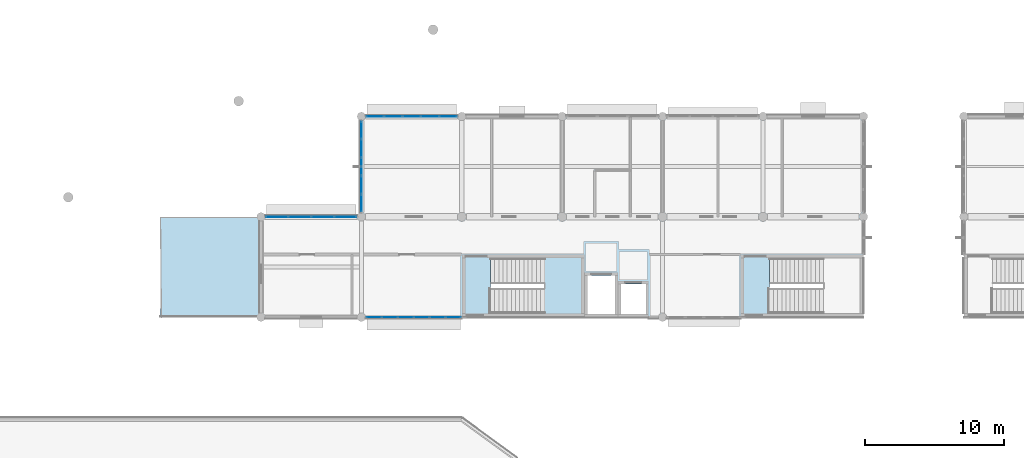
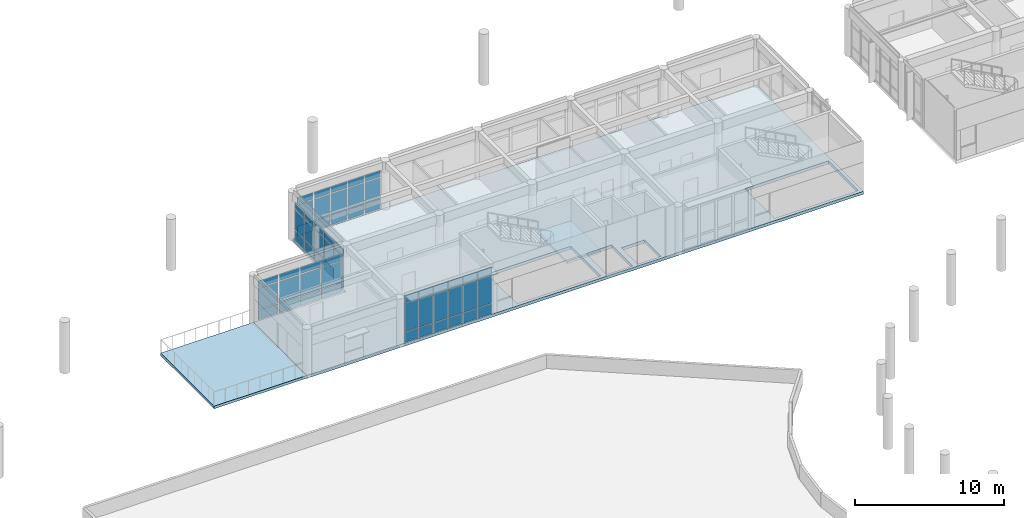
# One storey, part 18 of 55: 60 plates, 3 slabs, 5 elements without a shape of their own.
"""IFC4 building model written with IfcOpenShell, lengths in metres."""

import ifcopenshell
import ifcopenshell.guid

model = None  # the IFC model being written
_history = None  # IfcOwnerHistory: only IFC2X3 demands one
_inside = {}  # id of a spatial element -> (the spatial element, [elements in it])
_under = {}  # id of a project, library or spatial element -> (it, [spatial elements below it])
_declared = {}  # id of a project -> (the project, [libraries it declares])
_typed = {}  # id of a type object -> (the type object, [elements of that type])
_made_of = {}  # id of a material, layer set ... -> (it, [elements and type objects made of it])


def new_model(schema):
    """Start an empty IFC model of exactly this schema.

    Asked for "IFC4X3", IfcOpenShell would pick the latest addendum, in which some entities
    have other attributes; the version numbers below select the first issue.
    IFC2X3 requires an IfcOwnerHistory on every rooted entity: one is made here for all.
    """
    global model, _history
    if schema == "IFC4X3":
        model = ifcopenshell.file(schema_version=(4, 3, 0, 0))
    else:
        model = ifcopenshell.file(schema=schema)
    _inside.clear()
    _under.clear()
    _declared.clear()
    _typed.clear()
    _made_of.clear()
    _history = None
    if model.schema == "IFC2X3":
        org = make("IfcOrganization", Name="unknown")
        user = make(
            "IfcPersonAndOrganization",
            ThePerson=make("IfcPerson", FamilyName="unknown"),
            TheOrganization=org,
        )
        app = make(
            "IfcApplication",
            ApplicationDeveloper=org,
            Version="unknown",
            ApplicationFullName="unknown",
            ApplicationIdentifier="unknown",
        )
        _history = make(
            "IfcOwnerHistory",
            OwningUser=user,
            OwningApplication=app,
            ChangeAction="ADDED",
            CreationDate=0,
        )
    return model


def make(cls, **values):
    """One entity of the class cls with the attributes given. An attribute that is None is left unset."""
    return model.create_entity(
        cls, **{name: value for name, value in values.items() if value is not None}
    )


def rooted(cls, **values):
    """An entity with a GlobalId (a new one), such as an element, a storey or a relation."""
    return make(cls, GlobalId=ifcopenshell.guid.new(), OwnerHistory=_history, **values)


def si_unit(unit_type, name, prefix=None):
    """IfcSIUnit, for example si_unit("LENGTHUNIT", "METRE", prefix="MILLI")."""
    return make("IfcSIUnit", UnitType=unit_type, Prefix=prefix, Name=name)


def assignment(units):
    """IfcUnitAssignment: the units of a project."""
    return None if units is None else make("IfcUnitAssignment", Units=units)


def point(xyz):
    """IfcCartesianPoint."""
    return None if xyz is None else make("IfcCartesianPoint", Coordinates=xyz)


def direction(xyz):
    """IfcDirection."""
    return None if xyz is None else make("IfcDirection", DirectionRatios=xyz)


def frame(location, z_axis=None, x_axis=None):
    """IfcAxis2Placement3D, a coordinate frame: its origin and axes. An axis left out is left unset."""
    return make(
        "IfcAxis2Placement3D",
        Location=point(location),
        Axis=direction(z_axis),
        RefDirection=direction(x_axis),
    )


def frame_2d(location, x_axis=None):
    """IfcAxis2Placement2D, a coordinate frame in the plane: its origin and x axis."""
    return make(
        "IfcAxis2Placement2D", Location=point(location), RefDirection=direction(x_axis)
    )


def origin():
    """The frame at (0, 0, 0) with its axes left unset."""
    return frame((0.0, 0.0, 0.0))


def origin_2d():
    """The frame at (0, 0) in the plane with its x axis left unset."""
    return frame_2d((0.0, 0.0))


def place(relative_to, where):
    """IfcLocalPlacement: puts the frame where relative to a parent placement (None: the world)."""
    return make(
        "IfcLocalPlacement", PlacementRelTo=relative_to, RelativePlacement=where
    )


def context(
    kind, dimensions, precision=None, world=None, true_north=None, identifier=None
):
    """IfcGeometricRepresentationContext, for example the 3D "Model" context."""
    return make(
        "IfcGeometricRepresentationContext",
        ContextIdentifier=identifier,
        ContextType=kind,
        CoordinateSpaceDimension=dimensions,
        Precision=precision,
        WorldCoordinateSystem=world,
        TrueNorth=true_north,
    )


def subcontext(parent, identifier, kind, view, scale=None):
    """IfcGeometricRepresentationSubContext, for example "Body" below "Model"."""
    return make(
        "IfcGeometricRepresentationSubContext",
        ContextIdentifier=identifier,
        ContextType=kind,
        ParentContext=parent,
        TargetScale=scale,
        TargetView=view,
    )


def project(units=None, contexts=None):
    """IfcProject with its units and contexts."""
    return rooted(
        "IfcProject",
        Name="project",
        RepresentationContexts=contexts,
        UnitsInContext=assignment(units),
    )


def spatial(cls, under=None, at=None, **own):
    """A site, building, storey or space (cls), placed at a placement, below another one or the project."""
    s = rooted(cls, ObjectPlacement=at, **own)
    if under is not None:
        _under.setdefault(under.id(), (under, []))[1].append(s)
    return s


def polyline(points):
    """IfcPolyline through the points."""
    return make("IfcPolyline", Points=[point(p) for p in points])


def profile(cls, at=None, kind="AREA", **sizes):
    """A parametric profile (cls). Its sizes go by their IFC names, for example OverallWidth=200.0."""
    return make(cls, ProfileType=kind, Position=at, **sizes)


def rectangle(**sizes):
    """IfcRectangleProfileDef."""
    return profile("IfcRectangleProfileDef", **sizes)


def outline(outer, holes=None, kind="AREA"):
    """IfcArbitraryClosedProfileDef: a profile drawn as a closed curve; with holes, ...WithVoids."""
    if holes is None:
        return make("IfcArbitraryClosedProfileDef", ProfileType=kind, OuterCurve=outer)
    return make(
        "IfcArbitraryProfileDefWithVoids",
        ProfileType=kind,
        OuterCurve=outer,
        InnerCurves=holes,
    )


def extrude(swept, where, along, depth):
    """IfcExtrudedAreaSolid: the profile swept, set in the frame where, extruded along a direction by depth."""
    return make(
        "IfcExtrudedAreaSolid",
        SweptArea=swept,
        Position=where,
        ExtrudedDirection=direction(along),
        Depth=depth,
    )


def shape(context_of_items, identifier, shape_type, items):
    """IfcShapeRepresentation: the items that make up one representation, for example the "Body"."""
    return make(
        "IfcShapeRepresentation",
        ContextOfItems=context_of_items,
        RepresentationIdentifier=identifier,
        RepresentationType=shape_type,
        Items=items,
    )


def material(Name=None, Category=None):
    """IfcMaterial."""
    return make("IfcMaterial", Name=Name, Category=Category)


def layer(
    of_material, thickness, ventilated=None, Name=None, Category=None, Priority=None
):
    """IfcMaterialLayer: one layer of a wall or slab, of a material (None: an air gap)."""
    return make(
        "IfcMaterialLayer",
        Material=of_material,
        LayerThickness=thickness,
        IsVentilated=ventilated,
        Name=Name,
        Category=Category,
        Priority=Priority,
    )


def layer_set(layers, Name=None):
    """IfcMaterialLayerSet."""
    return make("IfcMaterialLayerSet", MaterialLayers=layers, LayerSetName=Name)


def made_of(thing, what):
    """Note that an element or type object is made of a material, layer set ...; save() writes the relation."""
    if what is not None:
        _made_of.setdefault(what.id(), (what, []))[1].append(thing)
    return thing


def type_object(cls, material=None, **own):
    """A type object (cls), such as IfcWallType, which elements share."""
    return made_of(rooted(cls, **own), material)


def element(
    cls,
    number,
    at=None,
    inside=None,
    cuts=None,
    type_object=None,
    material=None,
    context=None,
    identifier="Body",
    shape_type=None,
    held_by="IfcProductDefinitionShape",
    body=None,
    shapes=None,
    **own,
):
    """One element of the class cls, such as IfcWall. Its Tag is "e" and its number.

    at: its placement. inside: the storey or other place that contains it. cuts: it is an
    opening in that element (IfcRelVoidsElement). A single representation is given by context,
    identifier, shape_type and body (its items); several are given by shapes. held_by: the class
    of the entity that holds the representations. save() writes the other relations.
    """
    e = rooted(cls, Tag="e%d" % number, ObjectPlacement=at, **own)
    if body is not None:
        shapes = [shape(context, identifier, shape_type, body)]
    if shapes is not None:
        e.Representation = make(held_by, Representations=shapes)
    if inside is not None:
        _inside.setdefault(inside.id(), (inside, []))[1].append(e)
    if cuts is not None:
        rooted(
            "IfcRelVoidsElement", RelatingBuildingElement=cuts, RelatedOpeningElement=e
        )
    if type_object is not None:
        _typed.setdefault(type_object.id(), (type_object, []))[1].append(e)
    return made_of(e, material)


def aggregate(whole, parts):
    """IfcRelAggregates: a whole, such as a stair, and the parts it consists of."""
    return rooted("IfcRelAggregates", RelatingObject=whole, RelatedObjects=parts)


def save(model, path):
    """Write the relations noted so far, then the file.

    IfcRelAggregates (storeys below a building ...), IfcRelContainedInSpatialStructure (elements
    in a storey), IfcRelDefinesByType, IfcRelAssociatesMaterial and IfcRelDeclares: one each for
    every whole, place, type object, material and project.
    """
    for whole, parts in _under.values():
        aggregate(whole, parts)
    for where, things in _inside.values():
        rooted(
            "IfcRelContainedInSpatialStructure",
            RelatedElements=things,
            RelatingStructure=where,
        )
    for kind, things in _typed.values():
        rooted("IfcRelDefinesByType", RelatedObjects=things, RelatingType=kind)
    for what, things in _made_of.values():
        rooted("IfcRelAssociatesMaterial", RelatedObjects=things, RelatingMaterial=what)
    for by, libraries in _declared.values():
        rooted("IfcRelDeclares", RelatingContext=by, RelatedDefinitions=libraries)
    model.write(path)


model = new_model("IFC4")

# Units and contexts
model_context = context("Model", 3, precision=1e-05, world=origin(), true_north=direction((0.0, 1.0)))
body_context = subcontext(model_context, "Body", "Model", "MODEL_VIEW")
ifc_project = project(units=[si_unit("LENGTHUNIT", "METRE"), si_unit("AREAUNIT", "SQUARE_METRE"), si_unit("VOLUMEUNIT", "CUBIC_METRE"), si_unit("PLANEANGLEUNIT", "RADIAN"), si_unit("MASSUNIT", "GRAM", prefix="KILO")], contexts=[model_context])

# Site, building, storey
site_placement = place(None, origin())
site = spatial("IfcSite", under=ifc_project, at=site_placement, CompositionType="ELEMENT")
building_placement = place(site_placement, origin())
building = spatial("IfcBuilding", under=site, at=building_placement, Name="Namkhue Oval Health Centre", CompositionType="ELEMENT")
storey_placement = place(building_placement, frame((0.0, 0.0, 9.60009765625)))
storey = spatial("IfcBuildingStorey", under=building, at=storey_placement, Name="L02", CompositionType="ELEMENT", Elevation=9.60009765625)

# Curtain wall, plates
ifc_material_1 = material(Name="Anodised aluminium EN AW-6063 T6", Category="aluminium")
ifc_layer_1 = layer(ifc_material_1, 0.159912109375)
ifc_layer_set_1 = layer_set([ifc_layer_1], Name="Anodised aluminium EN AW-6063 T6")
curtain_wall_type_1 = type_object("IfcCurtainWallType", Name="UNITISED CURTAIN WALL M1200", PredefinedType="NOTDEFINED", material=ifc_layer_set_1)
curtain_wall_1_placement = place(storey_placement, origin())
curtain_wall_1 = element("IfcCurtainWall", 1, at=curtain_wall_1_placement, inside=storey, type_object=curtain_wall_type_1, Name="Volume V2 L02 Unitised Curtain Wall 61", PredefinedType="NOTDEFINED")
ifc_material_2 = material(Name="Thermally broken low-E laminated double glazing", Category="glass")
ifc_layer_2 = layer(ifc_material_2, 0.02587890625)
ifc_layer_set_2 = layer_set([ifc_layer_2], Name="Thermally broken low-E laminated double glazing")
plate_type_1 = type_object("IfcPlateType", Name="CURTAIN WALL GLAZED PANEL 26", PredefinedType="CURTAIN_PANEL", material=ifc_layer_set_2)
plate_1_placement = place(storey_placement, frame((51.299072265625, 90.0, 0.06494140625), z_axis=(0.0, 0.0, 1.0), x_axis=(1.0, 0.0, 0.0)))
plate_1 = element("IfcPlate", 2, at=plate_1_placement, type_object=plate_type_1, Name="CW-01 panel 1.1", PredefinedType="CURTAIN_PANEL", context=body_context, shape_type="SweptSolid", body=[
    extrude(rectangle(XDim=1.048095703125, YDim=0.02587890625, at=origin_2d()), origin(), (0.0, 0.0, 1.0), 0.802490234375),
])
plate_2_placement = place(storey_placement, frame((51.299072265625, 90.0, 0.932373046875), z_axis=(0.0, 0.0, 1.0), x_axis=(1.0, 0.0, 0.0)))
plate_2 = element("IfcPlate", 3, at=plate_2_placement, type_object=plate_type_1, Name="CW-01 panel 1.2", PredefinedType="CURTAIN_PANEL", context=body_context, shape_type="SweptSolid", body=[
    extrude(rectangle(XDim=1.048095703125, YDim=0.02587890625, at=origin_2d()), origin(), (0.0, 0.0, 1.0), 2.3349609375),
])
plate_3_placement = place(storey_placement, frame((51.299072265625, 90.0, 3.33251953125), z_axis=(0.0, 0.0, 1.0), x_axis=(1.0, 0.0, 0.0)))
plate_3 = element("IfcPlate", 4, at=plate_3_placement, type_object=plate_type_1, Name="CW-01 panel 1.3", PredefinedType="CURTAIN_PANEL", context=body_context, shape_type="SweptSolid", body=[
    extrude(rectangle(XDim=1.048095703125, YDim=0.02587890625, at=origin_2d()), origin(), (0.0, 0.0, 1.0), 0.552490234375),
])
plate_4_placement = place(storey_placement, frame((52.42822265625, 90.0, 0.06494140625), z_axis=(0.0, 0.0, 1.0), x_axis=(1.0, 0.0, 0.0)))
plate_4 = element("IfcPlate", 5, at=plate_4_placement, type_object=plate_type_1, Name="CW-01 panel 2.1", PredefinedType="CURTAIN_PANEL", context=body_context, shape_type="SweptSolid", body=[
    extrude(rectangle(XDim=1.08056640625, YDim=0.02587890625, at=origin_2d()), origin(), (0.0, 0.0, 1.0), 0.802490234375),
])
plate_5_placement = place(storey_placement, frame((52.42822265625, 90.0, 0.932373046875), z_axis=(0.0, 0.0, 1.0), x_axis=(1.0, 0.0, 0.0)))
plate_5 = element("IfcPlate", 6, at=plate_5_placement, type_object=plate_type_1, Name="CW-01 panel 2.2", PredefinedType="CURTAIN_PANEL", context=body_context, shape_type="SweptSolid", body=[
    extrude(rectangle(XDim=1.08056640625, YDim=0.02587890625, at=origin_2d()), origin(), (0.0, 0.0, 1.0), 2.3349609375),
])
plate_6_placement = place(storey_placement, frame((52.42822265625, 90.0, 3.33251953125), z_axis=(0.0, 0.0, 1.0), x_axis=(1.0, 0.0, 0.0)))
plate_6 = element("IfcPlate", 7, at=plate_6_placement, type_object=plate_type_1, Name="CW-01 panel 2.3", PredefinedType="CURTAIN_PANEL", context=body_context, shape_type="SweptSolid", body=[
    extrude(rectangle(XDim=1.08056640625, YDim=0.02587890625, at=origin_2d()), origin(), (0.0, 0.0, 1.0), 0.552490234375),
])
plate_7_placement = place(storey_placement, frame((53.57373046875, 90.0, 0.06494140625), z_axis=(0.0, 0.0, 1.0), x_axis=(1.0, 0.0, 0.0)))
plate_7 = element("IfcPlate", 8, at=plate_7_placement, type_object=plate_type_1, Name="CW-01 panel 3.1", PredefinedType="CURTAIN_PANEL", context=body_context, shape_type="SweptSolid", body=[
    extrude(rectangle(XDim=1.08056640625, YDim=0.02587890625, at=origin_2d()), origin(), (0.0, 0.0, 1.0), 0.802490234375),
])
plate_8_placement = place(storey_placement, frame((53.57373046875, 90.0, 0.932373046875), z_axis=(0.0, 0.0, 1.0), x_axis=(1.0, 0.0, 0.0)))
plate_8 = element("IfcPlate", 9, at=plate_8_placement, type_object=plate_type_1, Name="CW-01 panel 3.2", PredefinedType="CURTAIN_PANEL", context=body_context, shape_type="SweptSolid", body=[
    extrude(rectangle(XDim=1.08056640625, YDim=0.02587890625, at=origin_2d()), origin(), (0.0, 0.0, 1.0), 2.3349609375),
])
plate_9_placement = place(storey_placement, frame((53.57373046875, 90.0, 3.33251953125), z_axis=(0.0, 0.0, 1.0), x_axis=(1.0, 0.0, 0.0)))
plate_9 = element("IfcPlate", 10, at=plate_9_placement, type_object=plate_type_1, Name="CW-01 panel 3.3", PredefinedType="CURTAIN_PANEL", context=body_context, shape_type="SweptSolid", body=[
    extrude(rectangle(XDim=1.08056640625, YDim=0.02587890625, at=origin_2d()), origin(), (0.0, 0.0, 1.0), 0.552490234375),
])
plate_10_placement = place(storey_placement, frame((54.71923828125, 90.0, 0.06494140625), z_axis=(0.0, 0.0, 1.0), x_axis=(1.0, 0.0, 0.0)))
plate_10 = element("IfcPlate", 11, at=plate_10_placement, type_object=plate_type_1, Name="CW-01 panel 4.1", PredefinedType="CURTAIN_PANEL", context=body_context, shape_type="SweptSolid", body=[
    extrude(rectangle(XDim=1.08056640625, YDim=0.02587890625, at=origin_2d()), origin(), (0.0, 0.0, 1.0), 0.802490234375),
])
plate_11_placement = place(storey_placement, frame((54.71923828125, 90.0, 0.932373046875), z_axis=(0.0, 0.0, 1.0), x_axis=(1.0, 0.0, 0.0)))
plate_11 = element("IfcPlate", 12, at=plate_11_placement, type_object=plate_type_1, Name="CW-01 panel 4.2", PredefinedType="CURTAIN_PANEL", context=body_context, shape_type="SweptSolid", body=[
    extrude(rectangle(XDim=1.08056640625, YDim=0.02587890625, at=origin_2d()), origin(), (0.0, 0.0, 1.0), 2.3349609375),
])
plate_12_placement = place(storey_placement, frame((54.71923828125, 90.0, 3.33251953125), z_axis=(0.0, 0.0, 1.0), x_axis=(1.0, 0.0, 0.0)))
plate_12 = element("IfcPlate", 13, at=plate_12_placement, type_object=plate_type_1, Name="CW-01 panel 4.3", PredefinedType="CURTAIN_PANEL", context=body_context, shape_type="SweptSolid", body=[
    extrude(rectangle(XDim=1.08056640625, YDim=0.02587890625, at=origin_2d()), origin(), (0.0, 0.0, 1.0), 0.552490234375),
])
plate_13_placement = place(storey_placement, frame((55.86474609375, 90.0, 0.06494140625), z_axis=(0.0, 0.0, 1.0), x_axis=(1.0, 0.0, 0.0)))
plate_13 = element("IfcPlate", 14, at=plate_13_placement, type_object=plate_type_1, Name="CW-01 panel 5.1", PredefinedType="CURTAIN_PANEL", context=body_context, shape_type="SweptSolid", body=[
    extrude(rectangle(XDim=1.08056640625, YDim=0.02587890625, at=origin_2d()), origin(), (0.0, 0.0, 1.0), 0.802490234375),
])
plate_14_placement = place(storey_placement, frame((55.86474609375, 90.0, 0.932373046875), z_axis=(0.0, 0.0, 1.0), x_axis=(1.0, 0.0, 0.0)))
plate_14 = element("IfcPlate", 15, at=plate_14_placement, type_object=plate_type_1, Name="CW-01 panel 5.2", PredefinedType="CURTAIN_PANEL", context=body_context, shape_type="SweptSolid", body=[
    extrude(rectangle(XDim=1.08056640625, YDim=0.02587890625, at=origin_2d()), origin(), (0.0, 0.0, 1.0), 2.3349609375),
])
plate_15_placement = place(storey_placement, frame((55.86474609375, 90.0, 3.33251953125), z_axis=(0.0, 0.0, 1.0), x_axis=(1.0, 0.0, 0.0)))
plate_15 = element("IfcPlate", 16, at=plate_15_placement, type_object=plate_type_1, Name="CW-01 panel 5.3", PredefinedType="CURTAIN_PANEL", context=body_context, shape_type="SweptSolid", body=[
    extrude(rectangle(XDim=1.08056640625, YDim=0.02587890625, at=origin_2d()), origin(), (0.0, 0.0, 1.0), 0.552490234375),
])
plate_16_placement = place(storey_placement, frame((56.993896484375, 90.0, 0.06494140625), z_axis=(0.0, 0.0, 1.0), x_axis=(1.0, 0.0, 0.0)))
plate_16 = element("IfcPlate", 17, at=plate_16_placement, type_object=plate_type_1, Name="CW-01 panel 6.1", PredefinedType="CURTAIN_PANEL", context=body_context, shape_type="SweptSolid", body=[
    extrude(rectangle(XDim=1.048095703125, YDim=0.02587890625, at=origin_2d()), origin(), (0.0, 0.0, 1.0), 0.802490234375),
])
plate_17_placement = place(storey_placement, frame((56.993896484375, 90.0, 0.932373046875), z_axis=(0.0, 0.0, 1.0), x_axis=(1.0, 0.0, 0.0)))
plate_17 = element("IfcPlate", 18, at=plate_17_placement, type_object=plate_type_1, Name="CW-01 panel 6.2", PredefinedType="CURTAIN_PANEL", context=body_context, shape_type="SweptSolid", body=[
    extrude(rectangle(XDim=1.048095703125, YDim=0.02587890625, at=origin_2d()), origin(), (0.0, 0.0, 1.0), 2.3349609375),
])
plate_18_placement = place(storey_placement, frame((56.993896484375, 90.0, 3.33251953125), z_axis=(0.0, 0.0, 1.0), x_axis=(1.0, 0.0, 0.0)))
plate_18 = element("IfcPlate", 19, at=plate_18_placement, type_object=plate_type_1, Name="CW-01 panel 6.3", PredefinedType="CURTAIN_PANEL", context=body_context, shape_type="SweptSolid", body=[
    extrude(rectangle(XDim=1.048095703125, YDim=0.02587890625, at=origin_2d()), origin(), (0.0, 0.0, 1.0), 0.552490234375),
])
aggregate(curtain_wall_1, [plate_1, plate_2, plate_3, plate_4, plate_5, plate_6, plate_7, plate_8, plate_9, plate_10, plate_11, plate_12, plate_13, plate_14, plate_15, plate_16, plate_17, plate_18])

ifc_layer_3 = layer(ifc_material_1, 0.159912109375)
ifc_layer_set_3 = layer_set([ifc_layer_3], Name="Anodised aluminium EN AW-6063 T6")
curtain_wall_type_2 = type_object("IfcCurtainWallType", Name="UNITISED CURTAIN WALL M1500", PredefinedType="NOTDEFINED", material=ifc_layer_set_3)
curtain_wall_2_placement = place(storey_placement, origin())
curtain_wall_2 = element("IfcCurtainWall", 20, at=curtain_wall_2_placement, inside=storey, type_object=curtain_wall_type_2, Name="Volume V2 L02 Unitised Curtain Wall 69", PredefinedType="NOTDEFINED")
plate_19_placement = place(storey_placement, frame((49.251220703125, 97.199951171875, 0.06494140625), z_axis=(0.0, 0.0, 1.0), x_axis=(-1.0, 0.0, 0.0)))
plate_19 = element("IfcPlate", 21, at=plate_19_placement, type_object=plate_type_1, Name="CW-03 panel 1.1", PredefinedType="CURTAIN_PANEL", context=body_context, shape_type="SweptSolid", body=[
    extrude(rectangle(XDim=1.547607421875, YDim=0.02587890625, at=origin_2d()), origin(), (0.0, 0.0, 1.0), 0.802490234375),
])
plate_20_placement = place(storey_placement, frame((49.251220703125, 97.199951171875, 0.932373046875), z_axis=(0.0, 0.0, 1.0), x_axis=(-1.0, 0.0, 0.0)))
plate_20 = element("IfcPlate", 22, at=plate_20_placement, type_object=plate_type_1, Name="CW-03 panel 1.2", PredefinedType="CURTAIN_PANEL", context=body_context, shape_type="SweptSolid", body=[
    extrude(rectangle(XDim=1.547607421875, YDim=0.02587890625, at=origin_2d()), origin(), (0.0, 0.0, 1.0), 1.712890625),
])
plate_21_placement = place(storey_placement, frame((49.251220703125, 97.199951171875, 2.71044921875), z_axis=(0.0, 0.0, 1.0), x_axis=(-1.0, 0.0, 0.0)))
plate_21 = element("IfcPlate", 23, at=plate_21_placement, type_object=plate_type_1, Name="CW-03 panel 1.3", PredefinedType="CURTAIN_PANEL", context=body_context, shape_type="SweptSolid", body=[
    extrude(rectangle(XDim=1.547607421875, YDim=0.02587890625, at=origin_2d()), origin(), (0.0, 0.0, 1.0), 0.552490234375),
])
plate_22_placement = place(storey_placement, frame((47.62255859375, 97.199951171875, 0.06494140625), z_axis=(0.0, 0.0, 1.0), x_axis=(-1.0, 0.0, 0.0)))
plate_22 = element("IfcPlate", 24, at=plate_22_placement, type_object=plate_type_1, Name="CW-03 panel 2.1", PredefinedType="CURTAIN_PANEL", context=body_context, shape_type="SweptSolid", body=[
    extrude(rectangle(XDim=1.580078125, YDim=0.02587890625, at=origin_2d()), origin(), (0.0, 0.0, 1.0), 0.802490234375),
])
plate_23_placement = place(storey_placement, frame((47.62255859375, 97.199951171875, 0.932373046875), z_axis=(0.0, 0.0, 1.0), x_axis=(-1.0, 0.0, 0.0)))
plate_23 = element("IfcPlate", 25, at=plate_23_placement, type_object=plate_type_1, Name="CW-03 panel 2.2", PredefinedType="CURTAIN_PANEL", context=body_context, shape_type="SweptSolid", body=[
    extrude(rectangle(XDim=1.580078125, YDim=0.02587890625, at=origin_2d()), origin(), (0.0, 0.0, 1.0), 1.712890625),
])
plate_24_placement = place(storey_placement, frame((47.62255859375, 97.199951171875, 2.71044921875), z_axis=(0.0, 0.0, 1.0), x_axis=(-1.0, 0.0, 0.0)))
plate_24 = element("IfcPlate", 26, at=plate_24_placement, type_object=plate_type_1, Name="CW-03 panel 2.3", PredefinedType="CURTAIN_PANEL", context=body_context, shape_type="SweptSolid", body=[
    extrude(rectangle(XDim=1.580078125, YDim=0.02587890625, at=origin_2d()), origin(), (0.0, 0.0, 1.0), 0.552490234375),
])
plate_25_placement = place(storey_placement, frame((45.9775390625, 97.199951171875, 0.06494140625), z_axis=(0.0, 0.0, 1.0), x_axis=(-1.0, 0.0, 0.0)))
plate_25 = element("IfcPlate", 27, at=plate_25_placement, type_object=plate_type_1, Name="CW-03 panel 3.1", PredefinedType="CURTAIN_PANEL", context=body_context, shape_type="SweptSolid", body=[
    extrude(rectangle(XDim=1.580078125, YDim=0.02587890625, at=origin_2d()), origin(), (0.0, 0.0, 1.0), 0.802490234375),
])
plate_26_placement = place(storey_placement, frame((45.9775390625, 97.199951171875, 0.932373046875), z_axis=(0.0, 0.0, 1.0), x_axis=(-1.0, 0.0, 0.0)))
plate_26 = element("IfcPlate", 28, at=plate_26_placement, type_object=plate_type_1, Name="CW-03 panel 3.2", PredefinedType="CURTAIN_PANEL", context=body_context, shape_type="SweptSolid", body=[
    extrude(rectangle(XDim=1.580078125, YDim=0.02587890625, at=origin_2d()), origin(), (0.0, 0.0, 1.0), 1.712890625),
])
plate_27_placement = place(storey_placement, frame((45.9775390625, 97.199951171875, 2.71044921875), z_axis=(0.0, 0.0, 1.0), x_axis=(-1.0, 0.0, 0.0)))
plate_27 = element("IfcPlate", 29, at=plate_27_placement, type_object=plate_type_1, Name="CW-03 panel 3.3", PredefinedType="CURTAIN_PANEL", context=body_context, shape_type="SweptSolid", body=[
    extrude(rectangle(XDim=1.580078125, YDim=0.02587890625, at=origin_2d()), origin(), (0.0, 0.0, 1.0), 0.552490234375),
])
plate_28_placement = place(storey_placement, frame((44.3486328125, 97.199951171875, 0.06494140625), z_axis=(0.0, 0.0, 1.0), x_axis=(-1.0, 0.0, 0.0)))
plate_28 = element("IfcPlate", 30, at=plate_28_placement, type_object=plate_type_1, Name="CW-03 panel 4.1", PredefinedType="CURTAIN_PANEL", context=body_context, shape_type="SweptSolid", body=[
    extrude(rectangle(XDim=1.547607421875, YDim=0.02587890625, at=origin_2d()), origin(), (0.0, 0.0, 1.0), 0.802490234375),
])
plate_29_placement = place(storey_placement, frame((44.3486328125, 97.199951171875, 0.932373046875), z_axis=(0.0, 0.0, 1.0), x_axis=(-1.0, 0.0, 0.0)))
plate_29 = element("IfcPlate", 31, at=plate_29_placement, type_object=plate_type_1, Name="CW-03 panel 4.2", PredefinedType="CURTAIN_PANEL", context=body_context, shape_type="SweptSolid", body=[
    extrude(rectangle(XDim=1.547607421875, YDim=0.02587890625, at=origin_2d()), origin(), (0.0, 0.0, 1.0), 1.712890625),
])
plate_30_placement = place(storey_placement, frame((44.3486328125, 97.199951171875, 2.71044921875), z_axis=(0.0, 0.0, 1.0), x_axis=(-1.0, 0.0, 0.0)))
plate_30 = element("IfcPlate", 32, at=plate_30_placement, type_object=plate_type_1, Name="CW-03 panel 4.3", PredefinedType="CURTAIN_PANEL", context=body_context, shape_type="SweptSolid", body=[
    extrude(rectangle(XDim=1.547607421875, YDim=0.02587890625, at=origin_2d()), origin(), (0.0, 0.0, 1.0), 0.552490234375),
])
aggregate(curtain_wall_2, [plate_19, plate_20, plate_21, plate_22, plate_23, plate_24, plate_25, plate_26, plate_27, plate_28, plate_29, plate_30])

curtain_wall_3_placement = place(storey_placement, origin())
curtain_wall_3 = element("IfcCurtainWall", 33, at=curtain_wall_3_placement, inside=storey, type_object=curtain_wall_type_1, Name="Volume V2 L02 Unitised Curtain Wall 67", PredefinedType="NOTDEFINED")
ifc_material_3 = material(Name="Insulated anodised aluminium spandrel panel", Category="aluminium")
ifc_layer_4 = layer(ifc_material_3, 0.031982421875)
ifc_layer_set_4 = layer_set([ifc_layer_4], Name="Insulated anodised aluminium spandrel panel")
plate_type_2 = type_object("IfcPlateType", Name="CURTAIN WALL SPANDREL PANEL 32", PredefinedType="CURTAIN_PANEL", material=ifc_layer_set_4)
plate_31_placement = place(storey_placement, frame((56.61572265625, 104.39990234375, 0.06494140625), z_axis=(0.0, 0.0, 1.0), x_axis=(-1.0, 0.0, 0.0)))
plate_31 = element("IfcPlate", 34, at=plate_31_placement, type_object=plate_type_2, Name="CW-01 panel 1.1", PredefinedType="CURTAIN_PANEL", context=body_context, shape_type="SweptSolid", body=[
    extrude(rectangle(XDim=1.218505859375, YDim=0.031982421875, at=origin_2d()), origin(), (0.0, 0.0, 1.0), 0.802490234375),
])
plate_32_placement = place(storey_placement, frame((56.61572265625, 104.39990234375, 0.932373046875), z_axis=(0.0, 0.0, 1.0), x_axis=(-1.0, 0.0, 0.0)))
plate_32 = element("IfcPlate", 35, at=plate_32_placement, type_object=plate_type_2, Name="CW-01 panel 1.2", PredefinedType="CURTAIN_PANEL", context=body_context, shape_type="SweptSolid", body=[
    extrude(rectangle(XDim=1.218505859375, YDim=0.031982421875, at=origin_2d()), origin(), (0.0, 0.0, 1.0), 1.68505859375),
])
plate_33_placement = place(storey_placement, frame((56.61572265625, 104.39990234375, 2.6826171875), z_axis=(0.0, 0.0, 1.0), x_axis=(-1.0, 0.0, 0.0)))
plate_33 = element("IfcPlate", 36, at=plate_33_placement, type_object=plate_type_2, Name="CW-01 panel 1.3", PredefinedType="CURTAIN_PANEL", context=body_context, shape_type="SweptSolid", body=[
    extrude(rectangle(XDim=1.218505859375, YDim=0.031982421875, at=origin_2d()), origin(), (0.0, 0.0, 1.0), 0.552490234375),
])
plate_34_placement = place(storey_placement, frame((55.31591796875, 104.39990234375, 0.06494140625), z_axis=(0.0, 0.0, 1.0), x_axis=(-1.0, 0.0, 0.0)))
plate_34 = element("IfcPlate", 37, at=plate_34_placement, type_object=plate_type_2, Name="CW-01 panel 2.1", PredefinedType="CURTAIN_PANEL", context=body_context, shape_type="SweptSolid", body=[
    extrude(rectangle(XDim=1.2509765625, YDim=0.031982421875, at=origin_2d()), origin(), (0.0, 0.0, 1.0), 0.802490234375),
])
plate_35_placement = place(storey_placement, frame((55.31591796875, 104.39990234375, 0.932373046875), z_axis=(0.0, 0.0, 1.0), x_axis=(-1.0, 0.0, 0.0)))
plate_35 = element("IfcPlate", 38, at=plate_35_placement, type_object=plate_type_2, Name="CW-01 panel 2.2", PredefinedType="CURTAIN_PANEL", context=body_context, shape_type="SweptSolid", body=[
    extrude(rectangle(XDim=1.2509765625, YDim=0.031982421875, at=origin_2d()), origin(), (0.0, 0.0, 1.0), 1.68505859375),
])
plate_36_placement = place(storey_placement, frame((55.31591796875, 104.39990234375, 2.6826171875), z_axis=(0.0, 0.0, 1.0), x_axis=(-1.0, 0.0, 0.0)))
plate_36 = element("IfcPlate", 39, at=plate_36_placement, type_object=plate_type_2, Name="CW-01 panel 2.3", PredefinedType="CURTAIN_PANEL", context=body_context, shape_type="SweptSolid", body=[
    extrude(rectangle(XDim=1.2509765625, YDim=0.031982421875, at=origin_2d()), origin(), (0.0, 0.0, 1.0), 0.552490234375),
])
plate_37_placement = place(storey_placement, frame((54.0, 104.39990234375, 0.06494140625), z_axis=(0.0, 0.0, 1.0), x_axis=(-1.0, 0.0, 0.0)))
plate_37 = element("IfcPlate", 40, at=plate_37_placement, type_object=plate_type_2, Name="CW-01 panel 3.1", PredefinedType="CURTAIN_PANEL", context=body_context, shape_type="SweptSolid", body=[
    extrude(rectangle(XDim=1.2509765625, YDim=0.031982421875, at=origin_2d()), origin(), (0.0, 0.0, 1.0), 0.802490234375),
])
plate_38_placement = place(storey_placement, frame((54.0, 104.39990234375, 0.932373046875), z_axis=(0.0, 0.0, 1.0), x_axis=(-1.0, 0.0, 0.0)))
plate_38 = element("IfcPlate", 41, at=plate_38_placement, type_object=plate_type_2, Name="CW-01 panel 3.2", PredefinedType="CURTAIN_PANEL", context=body_context, shape_type="SweptSolid", body=[
    extrude(rectangle(XDim=1.2509765625, YDim=0.031982421875, at=origin_2d()), origin(), (0.0, 0.0, 1.0), 1.68505859375),
])
plate_39_placement = place(storey_placement, frame((54.0, 104.39990234375, 2.6826171875), z_axis=(0.0, 0.0, 1.0), x_axis=(-1.0, 0.0, 0.0)))
plate_39 = element("IfcPlate", 42, at=plate_39_placement, type_object=plate_type_2, Name="CW-01 panel 3.3", PredefinedType="CURTAIN_PANEL", context=body_context, shape_type="SweptSolid", body=[
    extrude(rectangle(XDim=1.2509765625, YDim=0.031982421875, at=origin_2d()), origin(), (0.0, 0.0, 1.0), 0.552490234375),
])
plate_40_placement = place(storey_placement, frame((52.68408203125, 104.39990234375, 0.06494140625), z_axis=(0.0, 0.0, 1.0), x_axis=(-1.0, 0.0, 0.0)))
plate_40 = element("IfcPlate", 43, at=plate_40_placement, type_object=plate_type_2, Name="CW-01 panel 4.1", PredefinedType="CURTAIN_PANEL", context=body_context, shape_type="SweptSolid", body=[
    extrude(rectangle(XDim=1.2509765625, YDim=0.031982421875, at=origin_2d()), origin(), (0.0, 0.0, 1.0), 0.802490234375),
])
plate_41_placement = place(storey_placement, frame((52.68408203125, 104.39990234375, 0.932373046875), z_axis=(0.0, 0.0, 1.0), x_axis=(-1.0, 0.0, 0.0)))
plate_41 = element("IfcPlate", 44, at=plate_41_placement, type_object=plate_type_2, Name="CW-01 panel 4.2", PredefinedType="CURTAIN_PANEL", context=body_context, shape_type="SweptSolid", body=[
    extrude(rectangle(XDim=1.2509765625, YDim=0.031982421875, at=origin_2d()), origin(), (0.0, 0.0, 1.0), 1.68505859375),
])
plate_42_placement = place(storey_placement, frame((52.68408203125, 104.39990234375, 2.6826171875), z_axis=(0.0, 0.0, 1.0), x_axis=(-1.0, 0.0, 0.0)))
plate_42 = element("IfcPlate", 45, at=plate_42_placement, type_object=plate_type_2, Name="CW-01 panel 4.3", PredefinedType="CURTAIN_PANEL", context=body_context, shape_type="SweptSolid", body=[
    extrude(rectangle(XDim=1.2509765625, YDim=0.031982421875, at=origin_2d()), origin(), (0.0, 0.0, 1.0), 0.552490234375),
])
plate_43_placement = place(storey_placement, frame((51.38427734375, 104.39990234375, 0.06494140625), z_axis=(0.0, 0.0, 1.0), x_axis=(-1.0, 0.0, 0.0)))
plate_43 = element("IfcPlate", 46, at=plate_43_placement, type_object=plate_type_2, Name="CW-01 panel 5.1", PredefinedType="CURTAIN_PANEL", context=body_context, shape_type="SweptSolid", body=[
    extrude(rectangle(XDim=1.218505859375, YDim=0.031982421875, at=origin_2d()), origin(), (0.0, 0.0, 1.0), 0.802490234375),
])
plate_44_placement = place(storey_placement, frame((51.38427734375, 104.39990234375, 0.932373046875), z_axis=(0.0, 0.0, 1.0), x_axis=(-1.0, 0.0, 0.0)))
plate_44 = element("IfcPlate", 47, at=plate_44_placement, type_object=plate_type_2, Name="CW-01 panel 5.2", PredefinedType="CURTAIN_PANEL", context=body_context, shape_type="SweptSolid", body=[
    extrude(rectangle(XDim=1.218505859375, YDim=0.031982421875, at=origin_2d()), origin(), (0.0, 0.0, 1.0), 1.68505859375),
])
plate_45_placement = place(storey_placement, frame((51.38427734375, 104.39990234375, 2.6826171875), z_axis=(0.0, 0.0, 1.0), x_axis=(-1.0, 0.0, 0.0)))
plate_45 = element("IfcPlate", 48, at=plate_45_placement, type_object=plate_type_2, Name="CW-01 panel 5.3", PredefinedType="CURTAIN_PANEL", context=body_context, shape_type="SweptSolid", body=[
    extrude(rectangle(XDim=1.218505859375, YDim=0.031982421875, at=origin_2d()), origin(), (0.0, 0.0, 1.0), 0.552490234375),
])
aggregate(curtain_wall_3, [plate_31, plate_32, plate_33, plate_34, plate_35, plate_36, plate_37, plate_38, plate_39, plate_40, plate_41, plate_42, plate_43, plate_44, plate_45])

ifc_layer_5 = layer(ifc_material_1, 0.159912109375)
ifc_layer_set_5 = layer_set([ifc_layer_5], Name="Anodised aluminium EN AW-6063 T6")
curtain_wall_type_3 = type_object("IfcCurtainWallType", Name="UNITISED CURTAIN WALL M1350", PredefinedType="NOTDEFINED", material=ifc_layer_set_5)
curtain_wall_4_placement = place(storey_placement, origin())
curtain_wall_4 = element("IfcCurtainWall", 49, at=curtain_wall_4_placement, inside=storey, type_object=curtain_wall_type_3, Name="Volume V2 L02 Unitised Curtain Wall 68", PredefinedType="NOTDEFINED")
ifc_layer_6 = layer(ifc_material_3, 0.035888671875)
ifc_layer_set_6 = layer_set([ifc_layer_6], Name="Insulated anodised aluminium spandrel panel")
plate_type_3 = type_object("IfcPlateType", Name="CURTAIN WALL SPANDREL PANEL 36", PredefinedType="CURTAIN_PANEL", material=ifc_layer_set_6)
plate_46_placement = place(storey_placement, frame((50.39990234375, 103.413330078125, 0.074951171875), z_axis=(0.0, 0.0, 1.0), x_axis=(0.0, -1.0, 0.0)))
plate_46 = element("IfcPlate", 50, at=plate_46_placement, type_object=plate_type_3, Name="CW-02 panel 1.1", PredefinedType="CURTAIN_PANEL", context=body_context, shape_type="SweptSolid", body=[
    extrude(rectangle(XDim=1.20361328125, YDim=0.035888671875, at=origin_2d()), origin(), (0.0, 0.0, 1.0), 0.78759765625),
])
plate_47_placement = place(storey_placement, frame((50.39990234375, 103.413330078125, 0.9375), z_axis=(0.0, 0.0, 1.0), x_axis=(0.0, -1.0, 0.0)))
plate_47 = element("IfcPlate", 51, at=plate_47_placement, type_object=plate_type_3, Name="CW-02 panel 1.2", PredefinedType="CURTAIN_PANEL", context=body_context, shape_type="SweptSolid", body=[
    extrude(rectangle(XDim=1.20361328125, YDim=0.035888671875, at=origin_2d()), origin(), (0.0, 0.0, 1.0), 1.675048828125),
])
plate_48_placement = place(storey_placement, frame((50.39990234375, 103.413330078125, 2.687255859375), z_axis=(0.0, 0.0, 1.0), x_axis=(0.0, -1.0, 0.0)))
plate_48 = element("IfcPlate", 52, at=plate_48_placement, type_object=plate_type_3, Name="CW-02 panel 1.3", PredefinedType="CURTAIN_PANEL", context=body_context, shape_type="SweptSolid", body=[
    extrude(rectangle(XDim=1.20361328125, YDim=0.035888671875, at=origin_2d()), origin(), (0.0, 0.0, 1.0), 0.53759765625),
])
plate_49_placement = place(storey_placement, frame((50.39990234375, 102.115966796875, 0.074951171875), z_axis=(0.0, 0.0, 1.0), x_axis=(0.0, -1.0, 0.0)))
plate_49 = element("IfcPlate", 53, at=plate_49_placement, type_object=plate_type_3, Name="CW-02 panel 2.1", PredefinedType="CURTAIN_PANEL", context=body_context, shape_type="SweptSolid", body=[
    extrude(rectangle(XDim=1.240966796875, YDim=0.035888671875, at=origin_2d()), origin(), (0.0, 0.0, 1.0), 0.78759765625),
])
plate_50_placement = place(storey_placement, frame((50.39990234375, 102.115966796875, 0.9375), z_axis=(0.0, 0.0, 1.0), x_axis=(0.0, -1.0, 0.0)))
plate_50 = element("IfcPlate", 54, at=plate_50_placement, type_object=plate_type_3, Name="CW-02 panel 2.2", PredefinedType="CURTAIN_PANEL", context=body_context, shape_type="SweptSolid", body=[
    extrude(rectangle(XDim=1.240966796875, YDim=0.035888671875, at=origin_2d()), origin(), (0.0, 0.0, 1.0), 1.675048828125),
])
plate_51_placement = place(storey_placement, frame((50.39990234375, 102.115966796875, 2.687255859375), z_axis=(0.0, 0.0, 1.0), x_axis=(0.0, -1.0, 0.0)))
plate_51 = element("IfcPlate", 55, at=plate_51_placement, type_object=plate_type_3, Name="CW-02 panel 2.3", PredefinedType="CURTAIN_PANEL", context=body_context, shape_type="SweptSolid", body=[
    extrude(rectangle(XDim=1.240966796875, YDim=0.035888671875, at=origin_2d()), origin(), (0.0, 0.0, 1.0), 0.53759765625),
])
plate_52_placement = place(storey_placement, frame((50.39990234375, 100.800048828125, 0.074951171875), z_axis=(0.0, 0.0, 1.0), x_axis=(0.0, -1.0, 0.0)))
plate_52 = element("IfcPlate", 56, at=plate_52_placement, type_object=plate_type_3, Name="CW-02 panel 3.1", PredefinedType="CURTAIN_PANEL", context=body_context, shape_type="SweptSolid", body=[
    extrude(rectangle(XDim=1.240966796875, YDim=0.035888671875, at=origin_2d()), origin(), (0.0, 0.0, 1.0), 0.78759765625),
])
plate_53_placement = place(storey_placement, frame((50.39990234375, 100.800048828125, 0.9375), z_axis=(0.0, 0.0, 1.0), x_axis=(0.0, -1.0, 0.0)))
plate_53 = element("IfcPlate", 57, at=plate_53_placement, type_object=plate_type_3, Name="CW-02 panel 3.2", PredefinedType="CURTAIN_PANEL", context=body_context, shape_type="SweptSolid", body=[
    extrude(rectangle(XDim=1.240966796875, YDim=0.035888671875, at=origin_2d()), origin(), (0.0, 0.0, 1.0), 1.675048828125),
])
plate_54_placement = place(storey_placement, frame((50.39990234375, 100.800048828125, 2.687255859375), z_axis=(0.0, 0.0, 1.0), x_axis=(0.0, -1.0, 0.0)))
plate_54 = element("IfcPlate", 58, at=plate_54_placement, type_object=plate_type_3, Name="CW-02 panel 3.3", PredefinedType="CURTAIN_PANEL", context=body_context, shape_type="SweptSolid", body=[
    extrude(rectangle(XDim=1.240966796875, YDim=0.035888671875, at=origin_2d()), origin(), (0.0, 0.0, 1.0), 0.53759765625),
])
plate_55_placement = place(storey_placement, frame((50.39990234375, 99.48388671875, 0.074951171875), z_axis=(0.0, 0.0, 1.0), x_axis=(0.0, -1.0, 0.0)))
plate_55 = element("IfcPlate", 59, at=plate_55_placement, type_object=plate_type_3, Name="CW-02 panel 4.1", PredefinedType="CURTAIN_PANEL", context=body_context, shape_type="SweptSolid", body=[
    extrude(rectangle(XDim=1.240966796875, YDim=0.035888671875, at=origin_2d()), origin(), (0.0, 0.0, 1.0), 0.78759765625),
])
plate_56_placement = place(storey_placement, frame((50.39990234375, 99.48388671875, 0.9375), z_axis=(0.0, 0.0, 1.0), x_axis=(0.0, -1.0, 0.0)))
plate_56 = element("IfcPlate", 60, at=plate_56_placement, type_object=plate_type_3, Name="CW-02 panel 4.2", PredefinedType="CURTAIN_PANEL", context=body_context, shape_type="SweptSolid", body=[
    extrude(rectangle(XDim=1.240966796875, YDim=0.035888671875, at=origin_2d()), origin(), (0.0, 0.0, 1.0), 1.675048828125),
])
plate_57_placement = place(storey_placement, frame((50.39990234375, 99.48388671875, 2.687255859375), z_axis=(0.0, 0.0, 1.0), x_axis=(0.0, -1.0, 0.0)))
plate_57 = element("IfcPlate", 61, at=plate_57_placement, type_object=plate_type_3, Name="CW-02 panel 4.3", PredefinedType="CURTAIN_PANEL", context=body_context, shape_type="SweptSolid", body=[
    extrude(rectangle(XDim=1.240966796875, YDim=0.035888671875, at=origin_2d()), origin(), (0.0, 0.0, 1.0), 0.53759765625),
])
plate_58_placement = place(storey_placement, frame((50.39990234375, 98.186767578125, 0.074951171875), z_axis=(0.0, 0.0, 1.0), x_axis=(0.0, -1.0, 0.0)))
plate_58 = element("IfcPlate", 62, at=plate_58_placement, type_object=plate_type_3, Name="CW-02 panel 5.1", PredefinedType="CURTAIN_PANEL", context=body_context, shape_type="SweptSolid", body=[
    extrude(rectangle(XDim=1.20361328125, YDim=0.035888671875, at=origin_2d()), origin(), (0.0, 0.0, 1.0), 0.78759765625),
])
plate_59_placement = place(storey_placement, frame((50.39990234375, 98.186767578125, 0.9375), z_axis=(0.0, 0.0, 1.0), x_axis=(0.0, -1.0, 0.0)))
plate_59 = element("IfcPlate", 63, at=plate_59_placement, type_object=plate_type_3, Name="CW-02 panel 5.2", PredefinedType="CURTAIN_PANEL", context=body_context, shape_type="SweptSolid", body=[
    extrude(rectangle(XDim=1.20361328125, YDim=0.035888671875, at=origin_2d()), origin(), (0.0, 0.0, 1.0), 1.675048828125),
])
plate_60_placement = place(storey_placement, frame((50.39990234375, 98.186767578125, 2.687255859375), z_axis=(0.0, 0.0, 1.0), x_axis=(0.0, -1.0, 0.0)))
plate_60 = element("IfcPlate", 64, at=plate_60_placement, type_object=plate_type_3, Name="CW-02 panel 5.3", PredefinedType="CURTAIN_PANEL", context=body_context, shape_type="SweptSolid", body=[
    extrude(rectangle(XDim=1.20361328125, YDim=0.035888671875, at=origin_2d()), origin(), (0.0, 0.0, 1.0), 0.53759765625),
])
aggregate(curtain_wall_4, [plate_46, plate_47, plate_48, plate_49, plate_50, plate_51, plate_52, plate_53, plate_54, plate_55, plate_56, plate_57, plate_58, plate_59, plate_60])

# Slab
ifc_material_4 = material(Name="Reinforced concrete C30/37 (TCVN B35)", Category="concrete")
ifc_layer_7 = layer(ifc_material_4, 0.215087890625)
ifc_layer_set_7 = layer_set([ifc_layer_7], Name="Reinforced concrete C30/37 (TCVN B35)")
slab_type_1 = type_object("IfcSlabType", Name="EXTERIOR TERRACE SLAB 215", PredefinedType="FLOOR", material=ifc_layer_set_7)
slab_1_placement = place(storey_placement, frame((0.0, 0.0, -0.215087890625)))
element("IfcSlab", 65, at=slab_1_placement, inside=storey, type_object=slab_type_1, Name="Volume V2 L02 Exterior Roof Terrace Slab", PredefinedType="FLOOR", context=body_context, shape_type="SweptSolid", body=[
    extrude(outline(polyline([(36.0, 90.0), (43.199951171875, 90.0), (43.199951171875, 97.199951171875), (36.0, 97.199951171875), (36.0, 90.0)])), origin(), (0.0, 0.0, 1.0), 0.215087890625),
])

# Stair, slab
stair_type = type_object("IfcStairType", Name="DOGLEG EXIT STAIR H4200", PredefinedType="HALF_TURN_STAIR", material=ifc_material_4)
stair_placement = place(storey_placement, origin())
stair = element("IfcStair", 66, at=stair_placement, inside=storey, type_object=stair_type, Name="Protected Exit Stair ST-03 L02", PredefinedType="HALF_TURN_STAIR")
ifc_layer_8 = layer(ifc_material_4, 0.195068359375)
ifc_layer_set_8 = layer_set([ifc_layer_8], Name="Reinforced concrete C30/37 (TCVN B35)")
slab_type_2 = type_object("IfcSlabType", Name="STAIR LANDING SLAB 195", PredefinedType="LANDING", material=ifc_layer_set_8)
slab_2_placement = place(storey_placement, frame((0.0, 0.0, 1.90478515625)))
slab_2 = element("IfcSlab", 67, at=slab_2_placement, type_object=slab_type_2, Name="ST-03 landing 1", PredefinedType="LANDING", context=body_context, shape_type="SweptSolid", body=[
    extrude(outline(polyline([(63.544921875, 90.22509765625), (66.175048828125, 90.22509765625), (66.175048828125, 94.27490234375), (63.544921875, 94.27490234375), (63.544921875, 90.22509765625)])), origin(), (0.0, 0.0, 1.0), 0.195068359375),
])
aggregate(stair, [slab_2])

# Slab
ifc_layer_9 = layer(ifc_material_4, 0.2451171875)
ifc_layer_set_9 = layer_set([ifc_layer_9], Name="Reinforced concrete C30/37 (TCVN B35)")
slab_type_3 = type_object("IfcSlabType", Name="SUSPENDED FLOOR SLAB 245", PredefinedType="FLOOR", material=ifc_layer_set_9)
slab_3_placement = place(storey_placement, frame((0.0, 0.0, -0.2451171875)))
element("IfcSlab", 68, at=slab_3_placement, inside=storey, type_object=slab_type_3, Name="Volume V2 L02 Suspended Floor Slab", PredefinedType="FLOOR", context=body_context, shape_type="SweptSolid", body=[
    extrude(outline(polyline([(43.199951171875, 90.0), (86.39990234375, 90.0), (86.39990234375, 104.39990234375), (50.39990234375, 104.39990234375), (50.39990234375, 97.199951171875), (43.199951171875, 97.199951171875), (43.199951171875, 90.0)]), holes=[polyline([(59.655029296875, 90.25), (66.14990234375, 90.25), (66.14990234375, 94.25), (59.655029296875, 94.25), (59.655029296875, 90.25)]), polyline([(79.655029296875, 90.25), (86.14990234375, 90.25), (86.14990234375, 94.25), (79.655029296875, 94.25), (79.655029296875, 90.25)]), polyline([(66.60009765625, 90.199951171875), (68.60009765625, 90.199951171875), (68.60009765625, 93.0), (66.60009765625, 93.0), (66.60009765625, 90.199951171875)]), polyline([(69.0, 90.199951171875), (70.800048828125, 90.199951171875), (70.800048828125, 92.39990234375), (69.0, 92.39990234375), (69.0, 90.199951171875)])]), origin(), (0.0, 0.0, 1.0), 0.2451171875),
])

save(model, "model.ifc")
